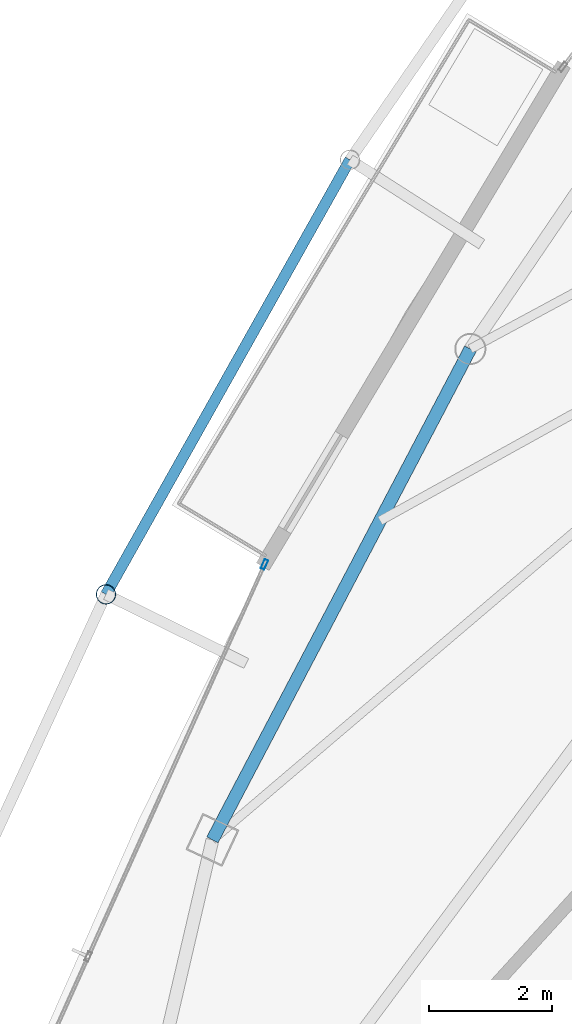
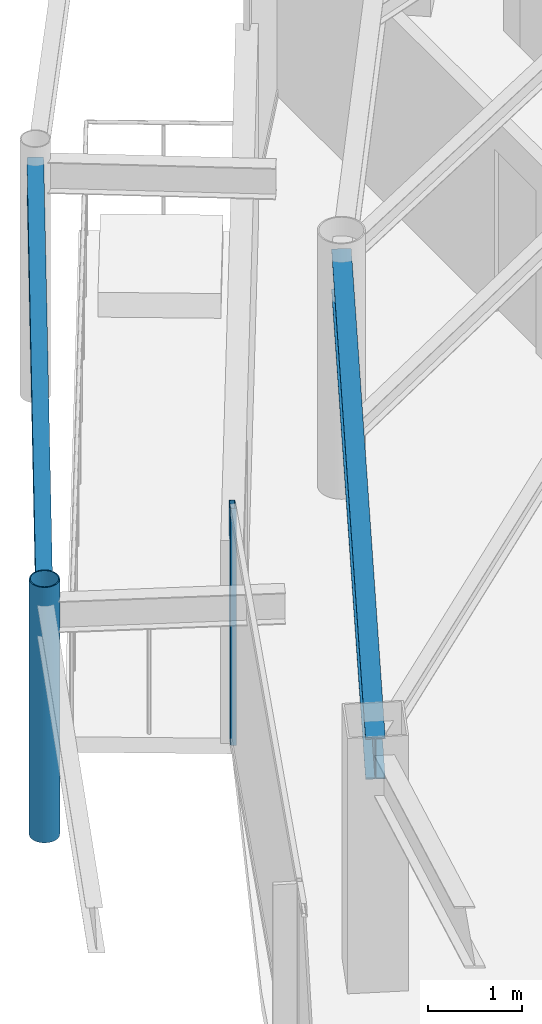
# One storey, part 10 of 30: 2 beams, 2 members, 1 element without a shape of its own.
"""IFC4 building model written with IfcOpenShell, lengths in metres."""

from ifc_helpers import new_model, si_unit, direction, frame, origin, origin_2d, place, context, subcontext, project, spatial, hollow_rectangle, hollow_circle, i_section, extrude, material, layer, layer_set, material_profile, profile_set, type_object, element, aggregate, save


model = new_model("IFC4")

# Units and contexts
model_context = context("Model", 3, precision=1e-05, world=origin(), true_north=direction((0.0, 1.0)))
body_context = subcontext(model_context, "Body", "Model", "MODEL_VIEW")
ifc_project = project(units=[si_unit("LENGTHUNIT", "METRE"), si_unit("AREAUNIT", "SQUARE_METRE"), si_unit("VOLUMEUNIT", "CUBIC_METRE"), si_unit("PLANEANGLEUNIT", "RADIAN"), si_unit("MASSUNIT", "GRAM", prefix="KILO")], contexts=[model_context])

# Site, building, storey
site_placement = place(None, origin())
site = spatial("IfcSite", under=ifc_project, at=site_placement, CompositionType="ELEMENT")
building_placement = place(site_placement, origin())
building = spatial("IfcBuilding", under=site, at=building_placement, Name="Orvanel Arch Residences", CompositionType="ELEMENT")
storey_placement = place(building_placement, frame((0.0, 0.0, 270.050048828125)))
storey = spatial("IfcBuildingStorey", under=building, at=storey_placement, Name="L77", CompositionType="ELEMENT", Elevation=270.050048828125)

# Curtain wall, member
ifc_material_1 = material(Name="Bronze-anodised aluminium AA6063-T6", Category="aluminium")
ifc_layer = layer(ifc_material_1, 0.175048828125)
ifc_layer_set = layer_set([ifc_layer], Name="Bronze-anodised aluminium AA6063-T6")
curtain_wall_type = type_object("IfcCurtainWallType", Name="CW4-HI-SYS", PredefinedType="NOTDEFINED", material=ifc_layer_set)
curtain_wall_placement = place(storey_placement, origin())
curtain_wall = element("IfcCurtainWall", 1, at=curtain_wall_placement, inside=storey, type_object=curtain_wall_type, Name="L77 CW4-HI-SYS Unitised Curtain Wall", PredefinedType="NOTDEFINED")
ifc_material_profile_1 = material_profile(ifc_material_1, hollow_rectangle(XDim=0.06494140625, YDim=0.159912109375, WallThickness=0.00390625, at=origin_2d()), Name="ALU160x65x4")
ifc_profile_set_1 = profile_set([ifc_material_profile_1], Name="Bronze-anodised aluminium AA6063-T6")
member_type_1 = type_object("IfcMemberType", Name="MUL-160x65", PredefinedType="MULLION", material=ifc_profile_set_1)
member_1_placement = place(storey_placement, frame((17.214599609375, 24.13134765625, 0.0), z_axis=(0.0, 0.0, 1.0), x_axis=(0.912157920998, -0.409838903913, 0.0)))
member_1 = element("IfcMember", 2, at=member_1_placement, type_object=member_type_1, Name="CW-S4 mullion 1", PredefinedType="MULLION", context=body_context, shape_type="SweptSolid", body=[
    extrude(hollow_rectangle(XDim=0.06494140625, YDim=0.159912109375, WallThickness=0.00390625, at=origin_2d()), origin(), (0.0, 0.0, 1.0), 3.06005859375),
])
aggregate(curtain_wall, [member_1])

# Beams
ifc_material_2 = material(Name="Structural steel AS/NZS 3679.1 Grade 300 (300 MPa)", Category="steel")
ifc_material_profile_2 = material_profile(ifc_material_2, i_section(OverallWidth=0.177978515625, OverallDepth=0.406005859375, WebThickness=0.0078125, FlangeThickness=0.0126953125, at=origin_2d()), Name="410UB59.7")
ifc_profile_set_2 = profile_set([ifc_material_profile_2], Name="Structural steel AS/NZS 3679.1 Grade 300 (300 MPa)")
beam_type_1 = type_object("IfcBeamType", Name="OB-410UB-EXT", PredefinedType="SPANDREL", material=ifc_profile_set_2)
beam_1_placement = place(storey_placement, frame((18.60791015625, 30.722900390625, 2.85693359375), z_axis=(-0.489594510938, -0.871950236458, 0.0), x_axis=(0.871950236458, -0.489594510938, 0.0)))
element("IfcBeam", 3, at=beam_1_placement, inside=storey, type_object=beam_type_1, Name="L77 Outer Perimeter Floor Ring Beam 02", PredefinedType="SPANDREL", context=body_context, shape_type="SweptSolid", body=[
    extrude(i_section(OverallWidth=0.177978515625, OverallDepth=0.406005859375, WebThickness=0.0078125, FlangeThickness=0.0126953125, at=origin_2d()), origin(), (0.0, 0.0, 1.0), 8.12060546875),
])
ifc_material_profile_3 = material_profile(ifc_material_2, i_section(OverallWidth=0.208984375, OverallDepth=0.532958984375, WebThickness=0.01025390625, FlangeThickness=0.015625, at=origin_2d()), Name="530UB92.4")
ifc_profile_set_3 = profile_set([ifc_material_profile_3], Name="Structural steel AS/NZS 3679.1 Grade 300 (300 MPa)")
beam_type_2 = type_object("IfcBeamType", Name="SP-530UB", PredefinedType="SPANDREL", material=ifc_profile_set_3)
beam_2_placement = place(storey_placement, frame((20.569091796875, 27.64111328125, 2.7939453125), z_axis=(-0.465064762793, -0.885276660942, 0.0), x_axis=(0.885276660942, -0.465064762793, 0.0)))
element("IfcBeam", 4, at=beam_2_placement, inside=storey, type_object=beam_type_2, Name="L77 Perimeter Spandrel Beam 12", PredefinedType="SPANDREL", context=body_context, shape_type="SweptSolid", body=[
    extrude(i_section(OverallWidth=0.208984375, OverallDepth=0.532958984375, WebThickness=0.01025390625, FlangeThickness=0.015625, at=origin_2d()), origin(), (0.0, 0.0, 1.0), 9.03564453125),
])

# Member
ifc_material_3 = material(Name="Structural steel AS/NZS 1163 C350L0 (Grade 350)", Category="steel")
ifc_material_profile_4 = material_profile(ifc_material_3, hollow_circle(Radius=0.162109375, WallThickness=0.0126953125, at=origin_2d()), Name="CHS324x12.7")
ifc_profile_set_4 = profile_set([ifc_material_profile_4], Name="Structural steel AS/NZS 1163 C350L0 (Grade 350)")
member_type_2 = type_object("IfcMemberType", Name="ST-324CHS-EXT", PredefinedType="STRUT", material=ifc_profile_set_4)
member_2_placement = place(storey_placement, frame((14.632080078125, 23.64208984375, 0.0), z_axis=(0.0, 0.0, 1.0), x_axis=(1.0, 0.0, 0.0)))
element("IfcMember", 5, at=member_2_placement, inside=storey, type_object=member_type_2, Name="L77 Outer Perimeter Frame Post 03", PredefinedType="STRUT", context=body_context, shape_type="SweptSolid", body=[
    extrude(hollow_circle(Radius=0.162109375, WallThickness=0.0126953125, at=origin_2d()), origin(), (0.0, 0.0, 1.0), 3.300048828125),
])

save(model, "model.ifc")
